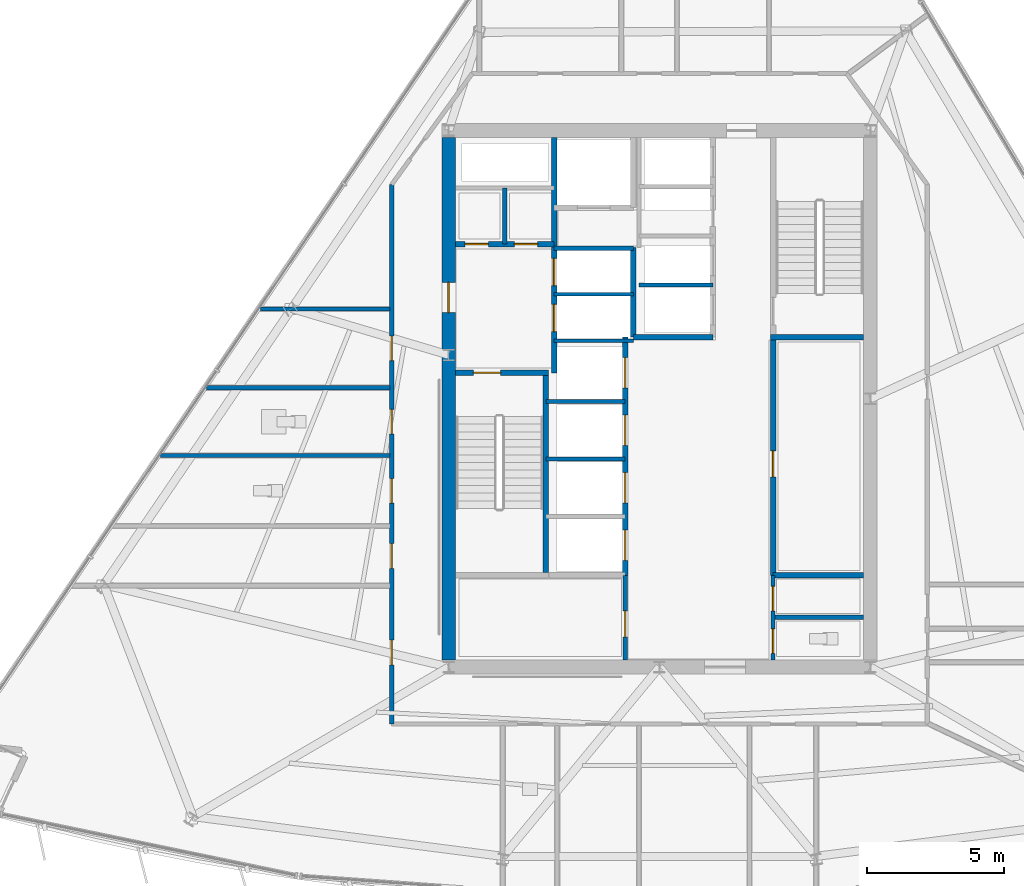
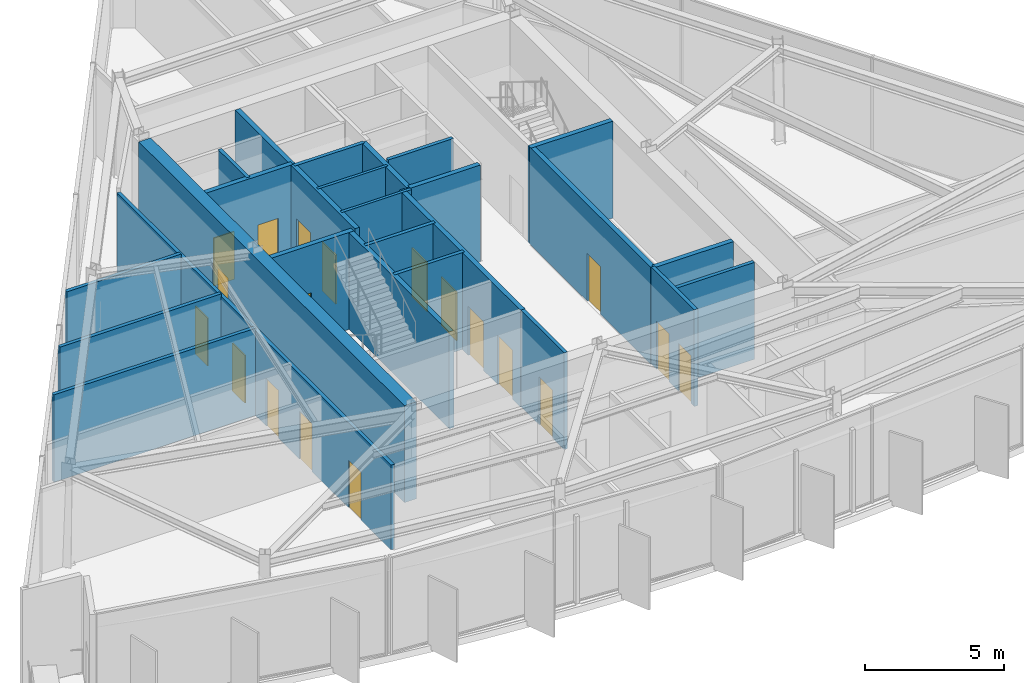
# One storey, part 7 of 13: 25 walls, 19 doors, 19 openings.
"""IFC4 building model written with IfcOpenShell, lengths in metres."""

from ifc_helpers import new_model, si_unit, direction, frame, frame_2d, origin, place, context, subcontext, project, spatial, rectangle, extrude, material, layer, layer_set, type_object, element, fill, save


model = new_model("IFC4")

# Units and contexts
model_context = context("Model", 3, precision=1e-05, world=origin(), true_north=direction((0.0, 1.0)))
body_context = subcontext(model_context, "Body", "Model", "MODEL_VIEW")
ifc_project = project(units=[si_unit("LENGTHUNIT", "METRE"), si_unit("AREAUNIT", "SQUARE_METRE"), si_unit("VOLUMEUNIT", "CUBIC_METRE"), si_unit("PLANEANGLEUNIT", "RADIAN"), si_unit("MASSUNIT", "GRAM", prefix="KILO")], contexts=[model_context])

# Site, building, storey
site_placement = place(None, origin())
site = spatial("IfcSite", under=ifc_project, at=site_placement, CompositionType="ELEMENT")
building_placement = place(site_placement, origin())
building = spatial("IfcBuilding", under=site, at=building_placement, Name="Savorim Split Tower", CompositionType="ELEMENT")
storey_placement = place(building_placement, frame((0.0, 0.0, 190.199951171875)))
storey = spatial("IfcBuildingStorey", under=building, at=storey_placement, Name="L50", CompositionType="ELEMENT", Elevation=190.199951171875)

# Wall, opening, door
ifc_material_1 = material(Name="Concrete C60/75", Category="concrete")
ifc_layer_1 = layer(ifc_material_1, 0.5)
ifc_layer_set_1 = layer_set([ifc_layer_1], Name="WAL-COR-SH500")
wall_type_1 = type_object("IfcWallType", Name="WAL-COR-SH500", PredefinedType="SHEAR", material=ifc_layer_set_1)
wall_1_placement = place(storey_placement, frame((-7.699951171875, -9.14990234375, 0.0), z_axis=(0.0, 0.0, 1.0), x_axis=(0.0, 1.0, 0.0)))
wall_1 = element("IfcWall", 1, at=wall_1_placement, inside=storey, type_object=wall_type_1, Name="L50 Offset Core West Shear Wall", PredefinedType="SHEAR", context=body_context, shape_type="SweptSolid", body=[
    extrude(rectangle(XDim=19.099853515625, YDim=0.5, at=frame_2d((9.5498046875, 0.0))), origin(), (0.0, 0.0, 1.0), 4.25),
])
opening_1_placement = place(wall_1_placement, frame((12.699951171875, 0.0, 0.0)))
opening_1 = element("IfcOpeningElement", 2, at=opening_1_placement, cuts=wall_1, Name="Opening DI-03", PredefinedType="OPENING", context=body_context, shape_type="SweptSolid", body=[
    extrude(rectangle(XDim=1.10009765625, YDim=2.14990234375, at=frame_2d((0.550048828125, 1.074951171875))), frame((0.0, 0.260009765625, 0.0), z_axis=(0.0, -1.0, 0.0), x_axis=(1.0, 0.0, 0.0)), (0.0, 0.0, 1.0), 0.52001953125),
])
ifc_material_2 = material(Name="Timber Fire Door Leaf", Category="wood")
door_type_1 = type_object("IfcDoorType", Name="DOR-FIR-1100", OperationType="NOTDEFINED", PredefinedType="DOOR", material=ifc_material_2)
door_1_placement = place(opening_1_placement, origin())
door_1 = element("IfcDoor", 3, at=door_1_placement, inside=storey, type_object=door_type_1, Name="DOR-L50-COR-FFLOB - L50 Firefighting Lobby Corridor Door", OperationType="SINGLE_SWING_RIGHT", OverallHeight=2.14990234375, OverallWidth=1.10009765625, PredefinedType="DOOR", context=body_context, shape_type="SweptSolid", body=[
    extrude(rectangle(XDim=1.10009765625, YDim=2.14990234375, at=frame_2d((0.550048828125, 1.074951171875))), frame((0.0, 0.02490234375, 0.0), z_axis=(0.0, -1.0, 0.0), x_axis=(1.0, 0.0, 0.0)), (0.0, 0.0, 1.0), 0.050048828125),
])
fill(opening_1, door_1)

ifc_material_3 = material(Name="Concrete C50/60", Category="concrete")
ifc_layer_2 = layer(ifc_material_3, 0.199951171875)
ifc_layer_set_2 = layer_set([ifc_layer_2], Name="WAL-INT-RC200")
wall_type_2 = type_object("IfcWallType", Name="WAL-INT-RC200", PredefinedType="SOLIDWALL", material=ifc_layer_set_2)
wall_2_placement = place(storey_placement, frame((-7.449951171875, 1.35009765625, 0.0), z_axis=(0.0, 0.0, 1.0), x_axis=(1.0, 0.0, 0.0)))
wall_2 = element("IfcWall", 4, at=wall_2_placement, inside=storey, type_object=wall_type_2, Name="L50 Structural Shaft Wall W-L50-CR01", PredefinedType="SOLIDWALL", context=body_context, shape_type="SweptSolid", body=[
    extrude(rectangle(XDim=3.39990234375, YDim=0.199951171875, at=frame_2d((1.699951171875, 0.0))), origin(), (0.0, 0.0, 1.0), 4.25),
])
opening_2_placement = place(wall_2_placement, frame((0.64990234375, 0.0, 0.0)))
opening_2 = element("IfcOpeningElement", 5, at=opening_2_placement, cuts=wall_2, Name="Opening DI-04", PredefinedType="OPENING", context=body_context, shape_type="SweptSolid", body=[
    extrude(rectangle(XDim=1.0, YDim=2.14990234375, at=frame_2d((0.5, 1.074951171875))), frame((0.0, 0.10986328125, 0.0), z_axis=(0.0, -1.0, 0.0), x_axis=(1.0, 0.0, 0.0)), (0.0, 0.0, 1.0), 0.219970703125),
])
door_type_2 = type_object("IfcDoorType", Name="DOR-FIR-1000", OperationType="NOTDEFINED", PredefinedType="DOOR", material=ifc_material_2)
door_2_placement = place(opening_2_placement, origin())
door_2 = element("IfcDoor", 6, at=door_2_placement, inside=storey, type_object=door_type_2, Name="DR-L50-ST1 - L50 Stair ST-1 Enclosure Door", OperationType="SINGLE_SWING_LEFT", OverallHeight=2.14990234375, OverallWidth=1.0, PredefinedType="DOOR", context=body_context, shape_type="SweptSolid", body=[
    extrude(rectangle(XDim=1.0, YDim=2.14990234375, at=frame_2d((0.5, 1.074951171875))), frame((0.0, 0.02490234375, 0.0), z_axis=(0.0, -1.0, 0.0), x_axis=(1.0, 0.0, 0.0)), (0.0, 0.0, 1.0), 0.050048828125),
])
fill(opening_2, door_2)

# Wall
wall_3_placement = place(storey_placement, frame((-4.14990234375, -5.949951171875, 0.0), z_axis=(0.0, 0.0, 1.0), x_axis=(0.0, 1.0, 0.0)))
element("IfcWall", 7, at=wall_3_placement, inside=storey, type_object=wall_type_2, Name="L50 Structural Shaft Wall W-L50-CR02", PredefinedType="SOLIDWALL", context=body_context, shape_type="SweptSolid", body=[
    extrude(rectangle(XDim=7.199951171875, YDim=0.199951171875, at=frame_2d((3.60009765625, 0.0))), origin(), (0.0, 0.0, 1.0), 4.25),
])

# Wall, openings, doors
wall_4_placement = place(storey_placement, frame((-3.85009765625, 1.35009765625, 0.0), z_axis=(0.0, 0.0, 1.0), x_axis=(0.0, 1.0, 0.0)))
wall_4 = element("IfcWall", 8, at=wall_4_placement, inside=storey, type_object=wall_type_2, Name="L50 Partition W-L50-CR03", PredefinedType="SOLIDWALL", context=body_context, shape_type="SweptSolid", body=[
    extrude(rectangle(XDim=8.594970703125, YDim=0.199951171875, at=frame_2d((4.29736328125, 0.0))), origin(), (0.0, 0.0, 1.0), 4.25),
])
opening_3_placement = place(wall_4_placement, frame((1.5, 0.0, 0.0)))
opening_3 = element("IfcOpeningElement", 9, at=opening_3_placement, cuts=wall_4, Name="Opening LD-FFL", PredefinedType="OPENING", context=body_context, shape_type="SweptSolid", body=[
    extrude(rectangle(XDim=1.0, YDim=2.14990234375, at=frame_2d((0.5, 1.074951171875))), frame((0.0, 0.10986328125, 0.0), z_axis=(0.0, -1.0, 0.0), x_axis=(1.0, 0.0, 0.0)), (0.0, 0.0, 1.0), 0.219970703125),
])
opening_4_placement = place(wall_4_placement, frame((3.179931640625, 0.0, 0.0)))
opening_4 = element("IfcOpeningElement", 10, at=opening_4_placement, cuts=wall_4, Name="Opening LD-FFL", PredefinedType="OPENING", context=body_context, shape_type="SweptSolid", body=[
    extrude(rectangle(XDim=1.0, YDim=2.14990234375, at=frame_2d((0.5, 1.074951171875))), frame((0.0, 0.10986328125, 0.0), z_axis=(0.0, -1.0, 0.0), x_axis=(1.0, 0.0, 0.0)), (0.0, 0.0, 1.0), 0.219970703125),
])
ifc_material_4 = material(Name="Charcoal Anodised Aluminium", Category="aluminium")
door_type_3 = type_object("IfcDoorType", Name="DOR-SLD-LD1000", OperationType="NOTDEFINED", PredefinedType="DOOR", material=ifc_material_4)
door_3_placement = place(opening_3_placement, origin())
door_3 = element("IfcDoor", 11, at=door_3_placement, inside=storey, type_object=door_type_3, Name="DR-L50-LD-FFL1 - L50 Firefighting Lift FFL-1 Sliding Landing Door", OperationType="DOUBLE_DOOR_SLIDING", OverallHeight=2.14990234375, OverallWidth=1.0, PredefinedType="DOOR", context=body_context, shape_type="SweptSolid", body=[
    extrude(rectangle(XDim=1.0, YDim=2.14990234375, at=frame_2d((0.5, 1.074951171875))), frame((0.0, 0.02490234375, 0.0), z_axis=(0.0, -1.0, 0.0), x_axis=(1.0, 0.0, 0.0)), (0.0, 0.0, 1.0), 0.050048828125),
])
fill(opening_3, door_3)
door_4_placement = place(opening_4_placement, origin())
door_4 = element("IfcDoor", 12, at=door_4_placement, inside=storey, type_object=door_type_3, Name="DR-L50-LD-FFL2 - L50 Firefighting Lift FFL-2 Sliding Landing Door", OperationType="DOUBLE_DOOR_SLIDING", OverallHeight=2.14990234375, OverallWidth=1.0, PredefinedType="DOOR", context=body_context, shape_type="SweptSolid", body=[
    extrude(rectangle(XDim=1.0, YDim=2.14990234375, at=frame_2d((0.5, 1.074951171875))), frame((0.0, 0.02490234375, 0.0), z_axis=(0.0, -1.0, 0.0), x_axis=(1.0, 0.0, 0.0)), (0.0, 0.0, 1.0), 0.050048828125),
])
fill(opening_4, door_4)

wall_5_placement = place(storey_placement, frame((-7.445068359375, 6.050048828125, 0.0), z_axis=(0.0, 0.0, 1.0), x_axis=(1.0, 0.0, 0.0)))
wall_5 = element("IfcWall", 13, at=wall_5_placement, inside=storey, type_object=wall_type_2, Name="L50 Partition W-L50-CR04", PredefinedType="SOLIDWALL", context=body_context, shape_type="SweptSolid", body=[
    extrude(rectangle(XDim=3.594970703125, YDim=0.199951171875, at=frame_2d((1.79736328125, 0.0))), origin(), (0.0, 0.0, 1.0), 4.25),
])
opening_5_placement = place(wall_5_placement, frame((0.344970703125, 0.0, 0.0)))
opening_5 = element("IfcOpeningElement", 14, at=opening_5_placement, cuts=wall_5, Name="Opening DI-12", PredefinedType="OPENING", context=body_context, shape_type="SweptSolid", body=[
    extrude(rectangle(XDim=0.85009765625, YDim=2.10009765625, at=frame_2d((0.425048828125, 1.050048828125))), frame((0.0, 0.10986328125, 0.0), z_axis=(0.0, -1.0, 0.0), x_axis=(1.0, 0.0, 0.0)), (0.0, 0.0, 1.0), 0.219970703125),
])
opening_6_placement = place(wall_5_placement, frame((2.14501953125, 0.0, 0.0)))
opening_6 = element("IfcOpeningElement", 15, at=opening_6_placement, cuts=wall_5, Name="Opening DI-12", PredefinedType="OPENING", context=body_context, shape_type="SweptSolid", body=[
    extrude(rectangle(XDim=0.85009765625, YDim=2.10009765625, at=frame_2d((0.425048828125, 1.050048828125))), frame((0.0, 0.10986328125, 0.0), z_axis=(0.0, -1.0, 0.0), x_axis=(1.0, 0.0, 0.0)), (0.0, 0.0, 1.0), 0.219970703125),
])
ifc_material_5 = material(Name="Galvanised Painted Steel Balustrade", Category="steel")
door_type_4 = type_object("IfcDoorType", Name="DOR-RIS-850", OperationType="NOTDEFINED", PredefinedType="DOOR", material=ifc_material_5)
door_5_placement = place(opening_5_placement, origin())
door_5 = element("IfcDoor", 16, at=door_5_placement, inside=storey, type_object=door_type_4, Name="DR-L50-ELR - L50 Electrical Riser Access Door", OperationType="SINGLE_SWING_RIGHT", OverallHeight=2.10009765625, OverallWidth=0.85009765625, PredefinedType="DOOR", context=body_context, shape_type="SweptSolid", body=[
    extrude(rectangle(XDim=0.85009765625, YDim=2.10009765625, at=frame_2d((0.425048828125, 1.050048828125))), frame((0.0, 0.02490234375, 0.0), z_axis=(0.0, -1.0, 0.0), x_axis=(1.0, 0.0, 0.0)), (0.0, 0.0, 1.0), 0.050048828125),
])
fill(opening_5, door_5)
door_6_placement = place(opening_6_placement, origin())
door_6 = element("IfcDoor", 17, at=door_6_placement, inside=storey, type_object=door_type_4, Name="DR-L50-TLR - L50 Telecom Riser Access Door", OperationType="SINGLE_SWING_LEFT", OverallHeight=2.10009765625, OverallWidth=0.85009765625, PredefinedType="DOOR", context=body_context, shape_type="SweptSolid", body=[
    extrude(rectangle(XDim=0.85009765625, YDim=2.10009765625, at=frame_2d((0.425048828125, 1.050048828125))), frame((0.0, 0.02490234375, 0.0), z_axis=(0.0, -1.0, 0.0), x_axis=(1.0, 0.0, 0.0)), (0.0, 0.0, 1.0), 0.050048828125),
])
fill(opening_6, door_6)

# Walls
wall_6_placement = place(storey_placement, frame((4.050048828125, 2.64990234375, 0.0), z_axis=(0.0, 0.0, 1.0), x_axis=(1.0, 0.0, 0.0)))
element("IfcWall", 18, at=wall_6_placement, inside=storey, type_object=wall_type_2, Name="L50 Structural Shaft Wall W-L50-CR08", PredefinedType="SOLIDWALL", context=body_context, shape_type="SweptSolid", body=[
    extrude(rectangle(XDim=3.39990234375, YDim=0.199951171875, at=frame_2d((1.699951171875, 0.0))), origin(), (0.0, 0.0, 1.0), 4.25),
])
wall_7_placement = place(storey_placement, frame((-0.949951171875, 2.64990234375, 0.0), z_axis=(0.0, 0.0, 1.0), x_axis=(0.0, 1.0, 0.0)))
element("IfcWall", 19, at=wall_7_placement, inside=storey, type_object=wall_type_2, Name="L50 Partition W-L50-FFLW", PredefinedType="SOLIDWALL", context=body_context, shape_type="SweptSolid", body=[
    extrude(rectangle(XDim=3.27001953125, YDim=0.199951171875, at=frame_2d((1.635009765625, 0.0))), origin(), (0.0, 0.0, 1.0), 4.25),
])

# Wall, opening, door
wall_8_placement = place(storey_placement, frame((4.14990234375, -6.050048828125, 0.0), z_axis=(0.0, 0.0, 1.0), x_axis=(0.0, 1.0, 0.0)))
wall_8 = element("IfcWall", 20, at=wall_8_placement, inside=storey, type_object=wall_type_2, Name="L50 Partition W-L50-B1FRONT", PredefinedType="SOLIDWALL", context=body_context, shape_type="SweptSolid", body=[
    extrude(rectangle(XDim=8.699951171875, YDim=0.199951171875, at=frame_2d((4.35009765625, 0.0))), origin(), (0.0, 0.0, 1.0), 4.25),
])
opening_7_placement = place(wall_8_placement, frame((3.60009765625, 0.0, 0.0)))
opening_7 = element("IfcOpeningElement", 21, at=opening_7_placement, cuts=wall_8, Name="Opening DI-05", PredefinedType="OPENING", context=body_context, shape_type="SweptSolid", body=[
    extrude(rectangle(XDim=0.949951171875, YDim=2.10009765625, at=frame_2d((0.47509765625, 1.050048828125))), frame((0.0, 0.10986328125, 0.0), z_axis=(0.0, -1.0, 0.0), x_axis=(1.0, 0.0, 0.0)), (0.0, 0.0, 1.0), 0.219970703125),
])
door_type_5 = type_object("IfcDoorType", Name="DOR-FIR-950", OperationType="NOTDEFINED", PredefinedType="DOOR", material=ifc_material_2)
door_7_placement = place(opening_7_placement, origin())
door_7 = element("IfcDoor", 22, at=door_7_placement, inside=storey, type_object=door_type_5, Name="DR-L50-LV7B1 - L50 Shared Pantry and Linen Room Door", OperationType="SINGLE_SWING_RIGHT", OverallHeight=2.10009765625, OverallWidth=0.949951171875, PredefinedType="DOOR", context=body_context, shape_type="SweptSolid", body=[
    extrude(rectangle(XDim=0.949951171875, YDim=2.10009765625, at=frame_2d((0.47509765625, 1.050048828125))), frame((0.0, 0.02490234375, 0.0), z_axis=(0.0, -1.0, 0.0), x_axis=(1.0, 0.0, 0.0)), (0.0, 0.0, 1.0), 0.050048828125),
])
fill(opening_7, door_7)

# Wall, openings, doors
wall_9_placement = place(storey_placement, frame((-1.25, -6.050048828125, 0.0), z_axis=(0.0, 0.0, 1.0), x_axis=(0.0, 1.0, 0.0)))
wall_9 = element("IfcWall", 23, at=wall_9_placement, inside=storey, type_object=wall_type_2, Name="L50 Partition W-L50-B2FRONT", PredefinedType="SOLIDWALL", context=body_context, shape_type="SweptSolid", body=[
    extrude(rectangle(XDim=8.699951171875, YDim=0.199951171875, at=frame_2d((4.35009765625, 0.0))), origin(), (0.0, 0.0, 1.0), 4.25),
])
opening_8_placement = place(wall_9_placement, frame((0.550048828125, 0.0, 0.0)))
opening_8 = element("IfcOpeningElement", 24, at=opening_8_placement, cuts=wall_9, Name="Opening LD-02", PredefinedType="OPENING", context=body_context, shape_type="SweptSolid", body=[
    extrude(rectangle(XDim=1.10009765625, YDim=2.14990234375, at=frame_2d((0.550048828125, 1.074951171875))), frame((0.0, 0.10986328125, 0.0), z_axis=(0.0, -1.0, 0.0), x_axis=(1.0, 0.0, 0.0)), (0.0, 0.0, 1.0), 0.219970703125),
])
opening_9_placement = place(wall_9_placement, frame((2.64990234375, 0.0, 0.0)))
opening_9 = element("IfcOpeningElement", 25, at=opening_9_placement, cuts=wall_9, Name="Opening LD-02", PredefinedType="OPENING", context=body_context, shape_type="SweptSolid", body=[
    extrude(rectangle(XDim=1.10009765625, YDim=2.14990234375, at=frame_2d((0.550048828125, 1.074951171875))), frame((0.0, 0.10986328125, 0.0), z_axis=(0.0, -1.0, 0.0), x_axis=(1.0, 0.0, 0.0)), (0.0, 0.0, 1.0), 0.219970703125),
])
opening_10_placement = place(wall_9_placement, frame((4.75, 0.0, 0.0)))
opening_10 = element("IfcOpeningElement", 26, at=opening_10_placement, cuts=wall_9, Name="Opening LD-02", PredefinedType="OPENING", context=body_context, shape_type="SweptSolid", body=[
    extrude(rectangle(XDim=1.10009765625, YDim=2.14990234375, at=frame_2d((0.550048828125, 1.074951171875))), frame((0.0, 0.10986328125, 0.0), z_axis=(0.0, -1.0, 0.0), x_axis=(1.0, 0.0, 0.0)), (0.0, 0.0, 1.0), 0.219970703125),
])
opening_11_placement = place(wall_9_placement, frame((6.85009765625, 0.0, 0.0)))
opening_11 = element("IfcOpeningElement", 27, at=opening_11_placement, cuts=wall_9, Name="Opening LD-02", PredefinedType="OPENING", context=body_context, shape_type="SweptSolid", body=[
    extrude(rectangle(XDim=1.10009765625, YDim=2.14990234375, at=frame_2d((0.550048828125, 1.074951171875))), frame((0.0, 0.10986328125, 0.0), z_axis=(0.0, -1.0, 0.0), x_axis=(1.0, 0.0, 0.0)), (0.0, 0.0, 1.0), 0.219970703125),
])
door_type_6 = type_object("IfcDoorType", Name="DOR-SLD-LDM1100", OperationType="NOTDEFINED", PredefinedType="DOOR", material=ifc_material_4)
door_8_placement = place(opening_8_placement, origin())
door_8 = element("IfcDoor", 28, at=door_8_placement, inside=storey, type_object=door_type_6, Name="DR-L50-LD-PLM1 - L50 Lift PL-M1 Sliding Landing Door", OperationType="DOUBLE_DOOR_SLIDING", OverallHeight=2.14990234375, OverallWidth=1.10009765625, PredefinedType="DOOR", context=body_context, shape_type="SweptSolid", body=[
    extrude(rectangle(XDim=1.10009765625, YDim=2.14990234375, at=frame_2d((0.550048828125, 1.074951171875))), frame((0.0, 0.02490234375, 0.0), z_axis=(0.0, -1.0, 0.0), x_axis=(1.0, 0.0, 0.0)), (0.0, 0.0, 1.0), 0.050048828125),
])
fill(opening_8, door_8)
door_9_placement = place(opening_9_placement, origin())
door_9 = element("IfcDoor", 29, at=door_9_placement, inside=storey, type_object=door_type_6, Name="DR-L50-LD-PLM2 - L50 Lift PL-M2 Sliding Landing Door", OperationType="DOUBLE_DOOR_SLIDING", OverallHeight=2.14990234375, OverallWidth=1.10009765625, PredefinedType="DOOR", context=body_context, shape_type="SweptSolid", body=[
    extrude(rectangle(XDim=1.10009765625, YDim=2.14990234375, at=frame_2d((0.550048828125, 1.074951171875))), frame((0.0, 0.02490234375, 0.0), z_axis=(0.0, -1.0, 0.0), x_axis=(1.0, 0.0, 0.0)), (0.0, 0.0, 1.0), 0.050048828125),
])
fill(opening_9, door_9)
door_10_placement = place(opening_10_placement, origin())
door_10 = element("IfcDoor", 30, at=door_10_placement, inside=storey, type_object=door_type_6, Name="DR-L50-LD-PLM3 - L50 Lift PL-M3 Sliding Landing Door", OperationType="DOUBLE_DOOR_SLIDING", OverallHeight=2.14990234375, OverallWidth=1.10009765625, PredefinedType="DOOR", context=body_context, shape_type="SweptSolid", body=[
    extrude(rectangle(XDim=1.10009765625, YDim=2.14990234375, at=frame_2d((0.550048828125, 1.074951171875))), frame((0.0, 0.02490234375, 0.0), z_axis=(0.0, -1.0, 0.0), x_axis=(1.0, 0.0, 0.0)), (0.0, 0.0, 1.0), 0.050048828125),
])
fill(opening_10, door_10)
door_11_placement = place(opening_11_placement, origin())
door_11 = element("IfcDoor", 31, at=door_11_placement, inside=storey, type_object=door_type_6, Name="DR-L50-LD-PLM4 - L50 Lift PL-M4 Sliding Landing Door", OperationType="DOUBLE_DOOR_SLIDING", OverallHeight=2.14990234375, OverallWidth=1.10009765625, PredefinedType="DOOR", context=body_context, shape_type="SweptSolid", body=[
    extrude(rectangle(XDim=1.10009765625, YDim=2.14990234375, at=frame_2d((0.550048828125, 1.074951171875))), frame((0.0, 0.02490234375, 0.0), z_axis=(0.0, -1.0, 0.0), x_axis=(1.0, 0.0, 0.0)), (0.0, 0.0, 1.0), 0.050048828125),
])
fill(opening_11, door_11)

# Walls
wall_10_placement = place(storey_placement, frame((-0.949951171875, 2.64990234375, 0.0), z_axis=(0.0, 0.0, 1.0), x_axis=(1.0, 0.0, 0.0)))
element("IfcWall", 32, at=wall_10_placement, inside=storey, type_object=wall_type_2, Name="L50 Partition W-L50-B3SOUTH", PredefinedType="SOLIDWALL", context=body_context, shape_type="SweptSolid", body=[
    extrude(rectangle(XDim=2.89990234375, YDim=0.199951171875, at=frame_2d((1.449951171875, 0.0))), origin(), (0.0, 0.0, 1.0), 4.25),
])
wall_11_placement = place(storey_placement, frame((4.14990234375, -6.050048828125, 0.0), z_axis=(0.0, 0.0, 1.0), x_axis=(1.0, 0.0, 0.0)))
element("IfcWall", 33, at=wall_11_placement, inside=storey, type_object=wall_type_2, Name="L50 Partition W-L50-KSEP-E", PredefinedType="SOLIDWALL", context=body_context, shape_type="SweptSolid", body=[
    extrude(rectangle(XDim=3.295166015625, YDim=0.199951171875, at=frame_2d((1.6474609375, 0.0))), origin(), (0.0, 0.0, 1.0), 4.25),
])
ifc_material_6 = material(Name="Acoustic Gypsum Partition Board")
ifc_layer_3 = layer(ifc_material_6, 0.1201171875)
ifc_layer_set_3 = layer_set([ifc_layer_3], Name="WAL-PAR-120")
wall_type_3 = type_object("IfcWallType", Name="WAL-PAR-120", PredefinedType="PARTITIONING", material=ifc_layer_set_3)
for number, where, z_axis, x_axis, name in (
    (34, (-3.85009765625, 2.52001953125, 0.0), (0.0, 0.0, 1.0), (1.0, 0.0, 0.0), "L50 Partition W-L50-FFLD0"),
    (35, (-3.85009765625, 4.219970703125, 0.0), (0.0, 0.0, 1.0), (1.0, 0.0, 0.0), "L50 Partition W-L50-FFLD1"),
):
    element("IfcWall", number, at=place(storey_placement, frame(where, z_axis=z_axis, x_axis=x_axis)), inside=storey, type_object=wall_type_3, Name=name, PredefinedType="PARTITIONING", context=body_context, shape_type="SweptSolid", body=[
        extrude(rectangle(XDim=2.900146484375, YDim=0.1201171875, at=frame_2d((1.4501953125, 0.0))), origin(), (0.0, 0.0, 1.0), 4.25),
    ])
ifc_layer_4 = layer(ifc_material_6, 0.14990234375)
ifc_layer_set_4 = layer_set([ifc_layer_4], Name="WAL-PAR-150")
wall_type_4 = type_object("IfcWallType", Name="WAL-PAR-150", PredefinedType="PARTITIONING", material=ifc_layer_set_4)
wall_12_placement = place(storey_placement, frame((-5.64990234375, 6.050048828125, 0.0), z_axis=(0.0, 0.0, 1.0), x_axis=(0.0, 1.0, 0.0)))
element("IfcWall", 36, at=wall_12_placement, inside=storey, type_object=wall_type_4, Name="L50 Partition W-L50-CR06", PredefinedType="PARTITIONING", context=body_context, shape_type="SweptSolid", body=[
    extrude(rectangle(XDim=2.050048828125, YDim=0.14990234375, at=frame_2d((1.02490234375, 0.0))), origin(), (0.0, 0.0, 1.0), 4.25),
])
wall_13_placement = place(storey_placement, frame((-3.85009765625, 5.89990234375, 0.0), z_axis=(0.0, 0.0, 1.0), x_axis=(1.0, 0.0, 0.0)))
element("IfcWall", 37, at=wall_13_placement, inside=storey, type_object=wall_type_4, Name="L50 Partition W-L50-FFLD2", PredefinedType="PARTITIONING", context=body_context, shape_type="SweptSolid", body=[
    extrude(rectangle(XDim=2.900146484375, YDim=0.14990234375, at=frame_2d((1.4501953125, 0.0))), origin(), (0.0, 0.0, 1.0), 4.25),
])
for number, where, z_axis, x_axis, name in (
    (38, (-4.14990234375, -1.800048828125, 0.0), (0.0, 0.0, 1.0), (1.0, 0.0, 0.0), "L50 Partition W-L50-B2DIV2"),
    (39, (-4.14990234375, 0.300048828125, 0.0), (0.0, 0.0, 1.0), (1.0, 0.0, 0.0), "L50 Partition W-L50-B2DIV3"),
):
    element("IfcWall", number, at=place(storey_placement, frame(where, z_axis=z_axis, x_axis=x_axis)), inside=storey, type_object=wall_type_4, Name=name, PredefinedType="PARTITIONING", context=body_context, shape_type="SweptSolid", body=[
        extrude(rectangle(XDim=2.89990234375, YDim=0.14990234375, at=frame_2d((1.449951171875, 0.0))), origin(), (0.0, 0.0, 1.0), 4.25),
    ])
wall_14_placement = place(storey_placement, frame((-0.75, 4.550048828125, 0.0), z_axis=(0.0, 0.0, 1.0), x_axis=(1.0, 0.0, 0.0)))
element("IfcWall", 40, at=wall_14_placement, inside=storey, type_object=wall_type_4, Name="L50 Partition W-L50-B3DIV1", PredefinedType="PARTITIONING", context=body_context, shape_type="SweptSolid", body=[
    extrude(rectangle(XDim=2.699951171875, YDim=0.14990234375, at=frame_2d((1.35009765625, 0.0))), origin(), (0.0, 0.0, 1.0), 4.25),
])

# Wall, opening, door
wall_15_placement = place(storey_placement, frame((-1.25, -9.14501953125, 0.0), z_axis=(0.0, 0.0, 1.0), x_axis=(0.0, 1.0, 0.0)))
wall_15 = element("IfcWall", 41, at=wall_15_placement, inside=storey, type_object=wall_type_4, Name="L50 Partition W-L50-KLOB-W", PredefinedType="PARTITIONING", context=body_context, shape_type="SweptSolid", body=[
    extrude(rectangle(XDim=3.094970703125, YDim=0.14990234375, at=frame_2d((1.54736328125, 0.0))), origin(), (0.0, 0.0, 1.0), 4.25),
])
opening_12_placement = place(wall_15_placement, frame((0.844970703125, 0.0, 0.0)))
opening_12 = element("IfcOpeningElement", 42, at=opening_12_placement, cuts=wall_15, Name="Opening DI-05", PredefinedType="OPENING", context=body_context, shape_type="SweptSolid", body=[
    extrude(rectangle(XDim=0.949951171875, YDim=2.10009765625, at=frame_2d((0.47509765625, 1.050048828125))), frame((0.0, 0.0849609375, 0.0), z_axis=(0.0, -1.0, 0.0), x_axis=(1.0, 0.0, 0.0)), (0.0, 0.0, 1.0), 0.169921875),
])
door_12_placement = place(opening_12_placement, origin())
door_12 = element("IfcDoor", 43, at=door_12_placement, inside=storey, type_object=door_type_5, Name="DR-L50-K3LIN - L50 Housekeeping Store Door", OperationType="SINGLE_SWING_LEFT", OverallHeight=2.10009765625, OverallWidth=0.949951171875, PredefinedType="DOOR", context=body_context, shape_type="SweptSolid", body=[
    extrude(rectangle(XDim=0.949951171875, YDim=2.10009765625, at=frame_2d((0.47509765625, 1.050048828125))), frame((0.0, 0.02490234375, 0.0), z_axis=(0.0, -1.0, 0.0), x_axis=(1.0, 0.0, 0.0)), (0.0, 0.0, 1.0), 0.050048828125),
])
fill(opening_12, door_12)

# Wall, openings, doors
wall_16_placement = place(storey_placement, frame((4.14990234375, -9.14501953125, 0.0), z_axis=(0.0, 0.0, 1.0), x_axis=(0.0, 1.0, 0.0)))
wall_16 = element("IfcWall", 44, at=wall_16_placement, inside=storey, type_object=wall_type_4, Name="L50 Partition W-L50-KLOB-E", PredefinedType="PARTITIONING", context=body_context, shape_type="SweptSolid", body=[
    extrude(rectangle(XDim=3.094970703125, YDim=0.14990234375, at=frame_2d((1.54736328125, 0.0))), origin(), (0.0, 0.0, 1.0), 4.25),
])
opening_13_placement = place(wall_16_placement, frame((0.2451171875, 0.0, 0.0)))
opening_13 = element("IfcOpeningElement", 45, at=opening_13_placement, cuts=wall_16, Name="Opening DI-11", PredefinedType="OPENING", context=body_context, shape_type="SweptSolid", body=[
    extrude(rectangle(XDim=0.89990234375, YDim=2.10009765625, at=frame_2d((0.449951171875, 1.050048828125))), frame((0.0, 0.0849609375, 0.0), z_axis=(0.0, -1.0, 0.0), x_axis=(1.0, 0.0, 0.0)), (0.0, 0.0, 1.0), 0.169921875),
])
opening_14_placement = place(wall_16_placement, frame((1.794921875, 0.0, 0.0)))
opening_14 = element("IfcOpeningElement", 46, at=opening_14_placement, cuts=wall_16, Name="Opening DI-06", PredefinedType="OPENING", context=body_context, shape_type="SweptSolid", body=[
    extrude(rectangle(XDim=0.89990234375, YDim=2.10009765625, at=frame_2d((0.449951171875, 1.050048828125))), frame((0.0, 0.0849609375, 0.0), z_axis=(0.0, -1.0, 0.0), x_axis=(1.0, 0.0, 0.0)), (0.0, 0.0, 1.0), 0.169921875),
])
door_type_7 = type_object("IfcDoorType", Name="DOR-FIR-900", OperationType="NOTDEFINED", PredefinedType="DOOR", material=ifc_material_2)
door_13_placement = place(opening_14_placement, origin())
door_13 = element("IfcDoor", 47, at=door_13_placement, inside=storey, type_object=door_type_7, Name="DR-L50-K3LCK - L50 Cleaning Store Door", OperationType="SINGLE_SWING_LEFT", OverallHeight=2.10009765625, OverallWidth=0.89990234375, PredefinedType="DOOR", context=body_context, shape_type="SweptSolid", body=[
    extrude(rectangle(XDim=0.89990234375, YDim=2.10009765625, at=frame_2d((0.449951171875, 1.050048828125))), frame((0.0, 0.02490234375, 0.0), z_axis=(0.0, -1.0, 0.0), x_axis=(1.0, 0.0, 0.0)), (0.0, 0.0, 1.0), 0.050048828125),
])
fill(opening_14, door_13)
ifc_material_7 = material(Name="Oak Veneer Acoustic Door")
door_type_8 = type_object("IfcDoorType", Name="DOR-WC-900", OperationType="NOTDEFINED", PredefinedType="DOOR", material=ifc_material_7)
door_14_placement = place(opening_13_placement, origin())
door_14 = element("IfcDoor", 48, at=door_14_placement, inside=storey, type_object=door_type_8, Name="DR-L50-K3AWC - L50 Core Accessible WC Door", OperationType="SINGLE_SWING_RIGHT", OverallHeight=2.10009765625, OverallWidth=0.89990234375, PredefinedType="DOOR", context=body_context, shape_type="SweptSolid", body=[
    extrude(rectangle(XDim=0.89990234375, YDim=2.10009765625, at=frame_2d((0.449951171875, 1.050048828125))), frame((0.0, 0.02490234375, 0.0), z_axis=(0.0, -1.0, 0.0), x_axis=(1.0, 0.0, 0.0)), (0.0, 0.0, 1.0), 0.050048828125),
])
fill(opening_13, door_14)

# Wall
wall_17_placement = place(storey_placement, frame((4.14990234375, -7.580078125, 0.0), z_axis=(0.0, 0.0, 1.0), x_axis=(1.0, 0.0, 0.0)))
element("IfcWall", 49, at=wall_17_placement, inside=storey, type_object=wall_type_4, Name="L50 Partition W-L50-K3H", PredefinedType="PARTITIONING", context=body_context, shape_type="SweptSolid", body=[
    extrude(rectangle(XDim=3.295166015625, YDim=0.14990234375, at=frame_2d((1.6474609375, 0.0))), origin(), (0.0, 0.0, 1.0), 4.25),
])

# Wall, openings, doors
wall_18_placement = place(storey_placement, frame((-9.780029296875, -11.47998046875, 0.0), z_axis=(0.0, 0.0, 1.0), x_axis=(0.0, 1.0, 0.0)))
wall_18 = element("IfcWall", 50, at=wall_18_placement, inside=storey, type_object=wall_type_4, Name="L50 Partition W-L50-COR-01", PredefinedType="PARTITIONING", context=body_context, shape_type="SweptSolid", body=[
    extrude(rectangle(XDim=19.705810546875, YDim=0.14990234375, at=frame_2d((9.85302734375, 0.0))), origin(), (0.0, 0.0, 1.0), 3.72509765625),
])
opening_15_placement = place(wall_18_placement, frame((10.59521484375, 0.0, 0.0)))
opening_15 = element("IfcOpeningElement", 51, at=opening_15_placement, cuts=wall_18, Name="Opening DI-11", PredefinedType="OPENING", context=body_context, shape_type="SweptSolid", body=[
    extrude(rectangle(XDim=0.89990234375, YDim=2.10009765625, at=frame_2d((0.449951171875, 1.050048828125))), frame((0.0, 0.0849609375, 0.0), z_axis=(0.0, -1.0, 0.0), x_axis=(1.0, 0.0, 0.0)), (0.0, 0.0, 1.0), 0.169921875),
])
opening_16_placement = place(wall_18_placement, frame((8.0673828125, 0.0, 0.0)))
opening_16 = element("IfcOpeningElement", 52, at=opening_16_placement, cuts=wall_18, Name="Opening DI-11", PredefinedType="OPENING", context=body_context, shape_type="SweptSolid", body=[
    extrude(rectangle(XDim=0.89990234375, YDim=2.10009765625, at=frame_2d((0.449951171875, 1.050048828125))), frame((0.0, 0.0849609375, 0.0), z_axis=(0.0, -1.0, 0.0), x_axis=(1.0, 0.0, 0.0)), (0.0, 0.0, 1.0), 0.169921875),
])
opening_17_placement = place(wall_18_placement, frame((5.689453125, 0.0, 0.0)))
opening_17 = element("IfcOpeningElement", 53, at=opening_17_placement, cuts=wall_18, Name="Opening DI-06", PredefinedType="OPENING", context=body_context, shape_type="SweptSolid", body=[
    extrude(rectangle(XDim=0.89990234375, YDim=2.10009765625, at=frame_2d((0.449951171875, 1.050048828125))), frame((0.0, 0.0849609375, 0.0), z_axis=(0.0, -1.0, 0.0), x_axis=(1.0, 0.0, 0.0)), (0.0, 0.0, 1.0), 0.169921875),
])
opening_18_placement = place(wall_18_placement, frame((2.164306640625, 0.0, 0.0)))
opening_18 = element("IfcOpeningElement", 54, at=opening_18_placement, cuts=wall_18, Name="Opening DI-06", PredefinedType="OPENING", context=body_context, shape_type="SweptSolid", body=[
    extrude(rectangle(XDim=0.89990234375, YDim=2.10009765625, at=frame_2d((0.449951171875, 1.050048828125))), frame((0.0, 0.0849609375, 0.0), z_axis=(0.0, -1.0, 0.0), x_axis=(1.0, 0.0, 0.0)), (0.0, 0.0, 1.0), 0.169921875),
])
opening_19_placement = place(wall_18_placement, frame((13.273193359375, 0.0, 0.0)))
opening_19 = element("IfcOpeningElement", 55, at=opening_19_placement, cuts=wall_18, Name="Opening DI-06", PredefinedType="OPENING", context=body_context, shape_type="SweptSolid", body=[
    extrude(rectangle(XDim=0.89990234375, YDim=2.10009765625, at=frame_2d((0.449951171875, 1.050048828125))), frame((0.0, 0.0849609375, 0.0), z_axis=(0.0, -1.0, 0.0), x_axis=(1.0, 0.0, 0.0)), (0.0, 0.0, 1.0), 0.169921875),
])
door_15_placement = place(opening_17_placement, origin())
door_15 = element("IfcDoor", 56, at=door_15_placement, inside=storey, type_object=door_type_7, Name="DR-L50-RM03 - L50 Sky Lobby Entry Door", OperationType="SINGLE_SWING_RIGHT", OverallHeight=2.10009765625, OverallWidth=0.89990234375, PredefinedType="DOOR", context=body_context, shape_type="SweptSolid", body=[
    extrude(rectangle(XDim=0.89990234375, YDim=2.10009765625, at=frame_2d((0.449951171875, 1.050048828125))), frame((0.0, 0.02490234375, 0.0), z_axis=(0.0, -1.0, 0.0), x_axis=(1.0, 0.0, 0.0)), (0.0, 0.0, 1.0), 0.050048828125),
])
fill(opening_17, door_15)
door_16_placement = place(opening_18_placement, origin())
door_16 = element("IfcDoor", 57, at=door_16_placement, inside=storey, type_object=door_type_7, Name="DR-L50-RM04 - L50 Co-Working Commons Entry Door", OperationType="SINGLE_SWING_LEFT", OverallHeight=2.10009765625, OverallWidth=0.89990234375, PredefinedType="DOOR", context=body_context, shape_type="SweptSolid", body=[
    extrude(rectangle(XDim=0.89990234375, YDim=2.10009765625, at=frame_2d((0.449951171875, 1.050048828125))), frame((0.0, 0.02490234375, 0.0), z_axis=(0.0, -1.0, 0.0), x_axis=(1.0, 0.0, 0.0)), (0.0, 0.0, 1.0), 0.050048828125),
])
fill(opening_18, door_16)
door_17_placement = place(opening_19_placement, origin())
door_17 = element("IfcDoor", 58, at=door_17_placement, inside=storey, type_object=door_type_7, Name="DR-L50-RM19 - L50 Co-Working Commons Entry Door", OperationType="SINGLE_SWING_RIGHT", OverallHeight=2.10009765625, OverallWidth=0.89990234375, PredefinedType="DOOR", context=body_context, shape_type="SweptSolid", body=[
    extrude(rectangle(XDim=0.89990234375, YDim=2.10009765625, at=frame_2d((0.449951171875, 1.050048828125))), frame((0.0, 0.02490234375, 0.0), z_axis=(0.0, -1.0, 0.0), x_axis=(1.0, 0.0, 0.0)), (0.0, 0.0, 1.0), 0.050048828125),
])
fill(opening_19, door_17)
door_18_placement = place(opening_15_placement, origin())
door_18 = element("IfcDoor", 59, at=door_18_placement, inside=storey, type_object=door_type_8, Name="DR-L50-RM01 - L50 Shared Bathroom Entry Door", OperationType="SINGLE_SWING_RIGHT", OverallHeight=2.10009765625, OverallWidth=0.89990234375, PredefinedType="DOOR", context=body_context, shape_type="SweptSolid", body=[
    extrude(rectangle(XDim=0.89990234375, YDim=2.10009765625, at=frame_2d((0.449951171875, 1.050048828125))), frame((0.0, 0.02490234375, 0.0), z_axis=(0.0, -1.0, 0.0), x_axis=(1.0, 0.0, 0.0)), (0.0, 0.0, 1.0), 0.050048828125),
])
fill(opening_15, door_18)
door_19_placement = place(opening_16_placement, origin())
door_19 = element("IfcDoor", 60, at=door_19_placement, inside=storey, type_object=door_type_8, Name="DR-L50-RM02 - L50 Accessible WC Entry Door", OperationType="SINGLE_SWING_LEFT", OverallHeight=2.10009765625, OverallWidth=0.89990234375, PredefinedType="DOOR", context=body_context, shape_type="SweptSolid", body=[
    extrude(rectangle(XDim=0.89990234375, YDim=2.10009765625, at=frame_2d((0.449951171875, 1.050048828125))), frame((0.0, 0.02490234375, 0.0), z_axis=(0.0, -1.0, 0.0), x_axis=(1.0, 0.0, 0.0)), (0.0, 0.0, 1.0), 0.050048828125),
])
fill(opening_16, door_19)

# Walls
wall_19_placement = place(storey_placement, frame((-9.840087890625, 3.68212890625, 0.0), z_axis=(0.0, 0.0, 1.0), x_axis=(-1.0, 0.0, 0.0)))
element("IfcWall", 61, at=wall_19_placement, inside=storey, type_object=wall_type_4, Name="L50 Partition W-L50-SLR09", PredefinedType="PARTITIONING", context=body_context, shape_type="SweptSolid", body=[
    extrude(rectangle(XDim=4.739501953125, YDim=0.14990234375, at=frame_2d((2.36962890625, 0.0))), origin(), (0.0, 0.0, 1.0), 3.8349609375),
])
wall_20_placement = place(storey_placement, frame((-9.840087890625, -1.673583984375, 0.0), z_axis=(0.0, 0.0, 1.0), x_axis=(-1.0, 0.0, 0.0)))
element("IfcWall", 62, at=wall_20_placement, inside=storey, type_object=wall_type_4, Name="L50 Partition W-L50-SLSUB01", PredefinedType="PARTITIONING", context=body_context, shape_type="SweptSolid", body=[
    extrude(rectangle(XDim=8.383056640625, YDim=0.14990234375, at=frame_2d((4.19140625, 0.0))), origin(), (0.0, 0.0, 1.0), 3.8349609375),
])
wall_21_placement = place(storey_placement, frame((-9.840087890625, 0.80419921875, 0.0), z_axis=(0.0, 0.0, 1.0), x_axis=(-1.0, 0.0, 0.0)))
element("IfcWall", 63, at=wall_21_placement, inside=storey, type_object=wall_type_4, Name="L50 Partition W-L50-SLSUB11", PredefinedType="PARTITIONING", context=body_context, shape_type="SweptSolid", body=[
    extrude(rectangle(XDim=6.697265625, YDim=0.14990234375, at=frame_2d((3.3486328125, 0.0))), origin(), (0.0, 0.0, 1.0), 3.8349609375),
])

save(model, "model.ifc")
